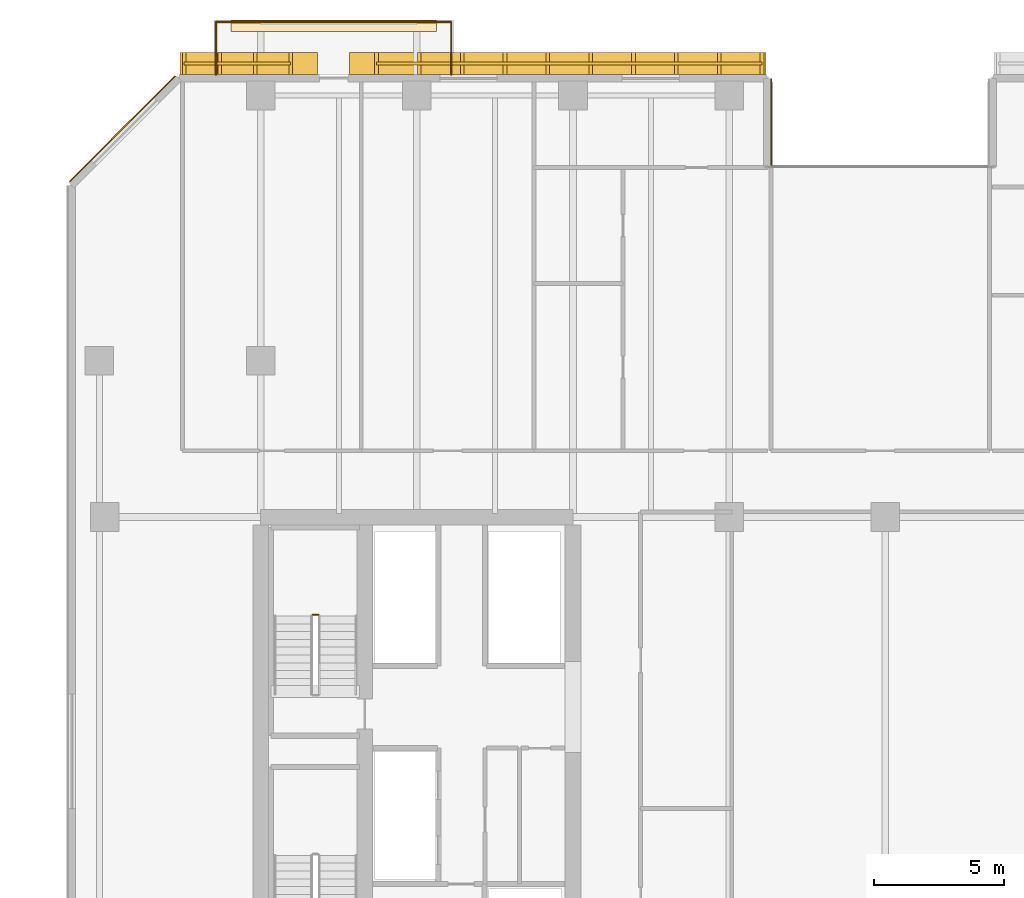
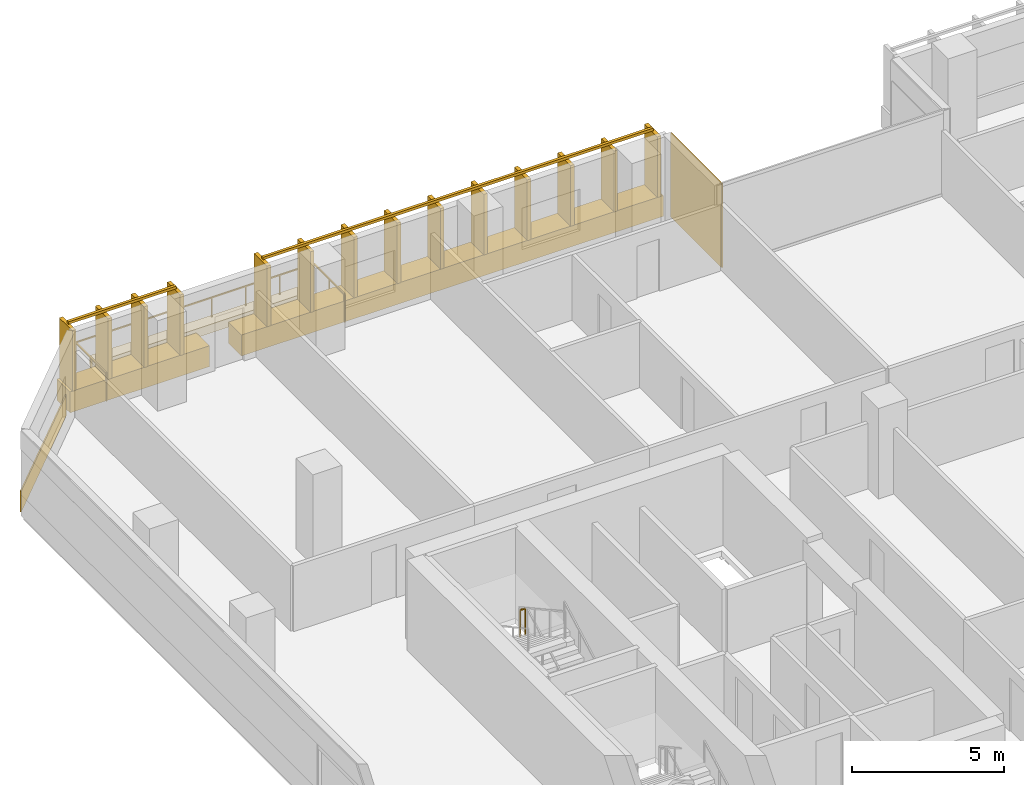
# One storey, part 22 of 26: 5 coverings, 4 railings.
"""IFC4 building model written with IfcOpenShell, lengths in metres."""

from ifc_helpers import new_model, si_unit, direction, frame, origin, origin_2d, place, context, subcontext, project, spatial, polyline, rectangle, outline, extrude, material, layer, layer_set, type_object, element, save


model = new_model("IFC4")

# Units and contexts
model_context = context("Model", 3, precision=1e-05, world=origin(), true_north=direction((0.0, 1.0)))
body_context = subcontext(model_context, "Body", "Model", "MODEL_VIEW")
ifc_project = project(units=[si_unit("LENGTHUNIT", "METRE"), si_unit("AREAUNIT", "SQUARE_METRE"), si_unit("VOLUMEUNIT", "CUBIC_METRE"), si_unit("PLANEANGLEUNIT", "RADIAN"), si_unit("MASSUNIT", "GRAM", prefix="KILO")], contexts=[model_context])

# Site, building, storey
site_placement = place(None, origin())
site = spatial("IfcSite", under=ifc_project, at=site_placement, CompositionType="ELEMENT")
building_placement = place(site_placement, origin())
building = spatial("IfcBuilding", under=site, at=building_placement, Name="Tanjung Sevakor Pilgrim Tower", CompositionType="ELEMENT")
storey_placement = place(building_placement, frame((0.0, 0.0, 66.0)))
storey = spatial("IfcBuildingStorey", under=building, at=storey_placement, Name="L18", CompositionType="ELEMENT", Elevation=66.0)

# Coverings
ifc_material_1 = material(Name="Reconstructed Limestone Cladding", Category="masonry")
ifc_layer_1 = layer(ifc_material_1, 0.044921875)
ifc_layer_set_1 = layer_set([ifc_layer_1], Name="COV-CLAD-LIMESTONE")
covering_type_1 = type_object("IfcCoveringType", Name="COV-CLAD-LIMESTONE", PredefinedType="CLADDING", material=ifc_layer_set_1)
covering_1_placement = place(storey_placement, frame((43.62255859375, 57.760009765625, 0.02001953125), z_axis=(0.0, 0.0, 1.0), x_axis=(0.0, 1.0, 0.0)))
element("IfcCovering", 1, at=covering_1_placement, inside=storey, type_object=covering_type_1, Name="L18 Warm Limestone Wall Cladding EW-L18-MAIN-12", PredefinedType="CLADDING", context=body_context, shape_type="SweptSolid", body=[
    extrude(rectangle(XDim=3.360107421875, YDim=0.044921875, at=origin_2d()), origin(), (0.0, 0.0, 1.0), 3.3701171875),
])
covering_2_placement = place(storey_placement, frame((35.4150390625, 60.030029296875, 0.009765625), z_axis=(0.0, 0.0, 1.0), x_axis=(-1.0, 0.0, 0.0)))
element("IfcCovering", 2, at=covering_2_placement, inside=storey, type_object=covering_type_1, Name="L18 Warm Limestone Sill Spandrel EW-L18-MAIN-13-1", PredefinedType="CLADDING", context=body_context, shape_type="SweptSolid", body=[
    extrude(rectangle(XDim=16.010009765625, YDim=0.860107421875, at=origin_2d()), origin(), (0.0, 0.0, 1.0), 0.840087890625),
])
covering_3_placement = place(storey_placement, frame((23.5439453125, 60.030029296875, 0.009765625), z_axis=(0.0, 0.0, 1.0), x_axis=(-1.0, 0.0, 0.0)))
element("IfcCovering", 3, at=covering_3_placement, inside=storey, type_object=covering_type_1, Name="L18 Warm Limestone Sill Spandrel EW-L18-MAIN-13-2", PredefinedType="CLADDING", context=body_context, shape_type="SweptSolid", body=[
    extrude(rectangle(XDim=5.2919921875, YDim=0.860107421875, at=origin_2d()), origin(), (0.0, 0.0, 1.0), 0.840087890625),
])
covering_4_placement = place(storey_placement, frame((18.68408203125, 57.515869140625, 0.009765625), z_axis=(0.0, 0.0, 1.0), x_axis=(-0.707106781187, -0.707106781187, 0.0)))
element("IfcCovering", 4, at=covering_4_placement, inside=storey, type_object=covering_type_1, Name="L18 Warm Limestone Sill Spandrel EW-CHM-L18-MAIN-13-1", PredefinedType="CLADDING", context=body_context, shape_type="SweptSolid", body=[
    extrude(rectangle(XDim=5.74365234375, YDim=0.044921875, at=origin_2d()), origin(), (0.0, 0.0, 1.0), 0.840087890625),
])
ifc_material_2 = material(Name="Vegetated Modular Planter Assembly", Category="organic")
ifc_layer_2 = layer(ifc_material_2, 0.35009765625)
ifc_layer_set_2 = layer_set([ifc_layer_2], Name="COV-GRN-TROUGH")
covering_type_2 = type_object("IfcCoveringType", Name="COV-GRN-TROUGH", PredefinedType="CLADDING", material=ifc_layer_set_2)
covering_5_placement = place(storey_placement, origin())
element("IfcCovering", 5, at=covering_5_placement, inside=storey, type_object=covering_type_2, Name="L18 Planted Landscape Hedge Trough BGRN-L18-MAIN-N1", PredefinedType="CLADDING", context=body_context, shape_type="SweptSolid", body=[
    extrude(outline(polyline([(22.85009765625, 61.260009765625), (30.75, 61.260009765625), (30.75, 61.699951171875), (22.85009765625, 61.699951171875), (22.85009765625, 61.260009765625)])), origin(), (0.0, 0.0, 1.0), 0.35009765625),
])

# Railings
ifc_material_3 = material(Name="Laminated Glass and Aluminium", Category="aluminium")
railing_type_1 = type_object("IfcRailingType", Name="RL-BAL-BALUST", PredefinedType="BALUSTRADE", material=ifc_material_3)
railing_1_placement = place(storey_placement, frame((22.280029296875, 59.60009765625, 0.0)))
element("IfcRailing", 6, at=railing_1_placement, inside=storey, type_object=railing_type_1, Name="L18 Loggia Balustrade MAIN-N1", PredefinedType="BALUSTRADE", context=body_context, shape_type="SweptSolid", body=[
    extrude(rectangle(XDim=0.0479, YDim=0.0479), frame((0.0, 0.0, 1.1259765625), z_axis=(0.0, 1.0, 0.0), x_axis=(-1.0, 0.0, 0.0)), (0.0, 0.0, 1.0), 2.02001953125),
    extrude(rectangle(XDim=0.0479, YDim=0.0479), frame((0.0, 2.02001953125, 1.1259765625), z_axis=(1.0, 0.0, 0.0), x_axis=(0.0, 1.0, 0.0)), (0.0, 0.0, 1.0), 9.0400390625),
    extrude(rectangle(XDim=0.0479, YDim=0.0479), frame((9.0400390625, 2.02001953125, 1.1259765625), z_axis=(0.0, -1.0, 0.0), x_axis=(1.0, 0.0, 0.0)), (0.0, 0.0, 1.0), 2.02001953125),
    extrude(rectangle(XDim=0.042, YDim=0.042), origin(), (0.0, 0.0, 1.0), 1.101806640625),
    extrude(rectangle(XDim=0.042, YDim=0.042), frame((0.0, 1.010009765625, 0.0)), (0.0, 0.0, 1.0), 1.101806640625),
    extrude(rectangle(XDim=0.042, YDim=0.042), frame((0.0, 2.02001953125, 0.0)), (0.0, 0.0, 1.0), 1.101806640625),
    extrude(rectangle(XDim=0.042, YDim=0.042), frame((1.29150390625, 2.02001953125, 0.0)), (0.0, 0.0, 1.0), 1.101806640625),
    extrude(rectangle(XDim=0.042, YDim=0.042), frame((2.582763671875, 2.02001953125, 0.0)), (0.0, 0.0, 1.0), 1.101806640625),
    extrude(rectangle(XDim=0.042, YDim=0.042), frame((3.874267578125, 2.02001953125, 0.0)), (0.0, 0.0, 1.0), 1.101806640625),
    extrude(rectangle(XDim=0.042, YDim=0.042), frame((5.165771484375, 2.02001953125, 0.0)), (0.0, 0.0, 1.0), 1.101806640625),
    extrude(rectangle(XDim=0.042, YDim=0.042), frame((6.457275390625, 2.02001953125, 0.0)), (0.0, 0.0, 1.0), 1.101806640625),
    extrude(rectangle(XDim=0.042, YDim=0.042), frame((7.74853515625, 2.02001953125, 0.0)), (0.0, 0.0, 1.0), 1.101806640625),
    extrude(rectangle(XDim=0.042, YDim=0.042), frame((9.0400390625, 2.02001953125, 0.0)), (0.0, 0.0, 1.0), 1.101806640625),
    extrude(rectangle(XDim=0.042, YDim=0.042), frame((9.0400390625, 1.010009765625, 0.0)), (0.0, 0.0, 1.0), 1.101806640625),
    extrude(rectangle(XDim=0.042, YDim=0.042), frame((9.0400390625, 0.0, 0.0)), (0.0, 0.0, 1.0), 1.101806640625),
])
ifc_material_4 = material(Name="Anodised Bronze Aluminium 6063-T6", Category="aluminium")
railing_type_2 = type_object("IfcRailingType", Name="RL-FIN-SCREEN", PredefinedType="BALUSTRADE", material=ifc_material_4)
railing_2_placement = place(storey_placement, frame((43.260009765625, 60.02490234375, 0.840087890625)))
element("IfcRailing", 7, at=railing_2_placement, inside=storey, type_object=railing_type_2, Name="L18 Vertical Bronze-Gold Solar Fin Screen FNSCR-EW-L18-MAIN-13-1", PredefinedType="BALUSTRADE", context=body_context, shape_type="SweptSolid", body=[
    extrude(rectangle(XDim=0.105, YDim=0.105), frame((0.0, 0.0, 2.487548828125), z_axis=(-1.0, 0.0, 0.0), x_axis=(0.0, -1.0, 0.0)), (0.0, 0.0, 1.0), 14.81005859375),
    extrude(rectangle(XDim=0.14, YDim=0.85), origin(), (0.0, 0.0, 1.0), 2.43505859375),
    extrude(rectangle(XDim=0.14, YDim=0.85), frame((-1.6455078125, 0.0, 0.0)), (0.0, 0.0, 1.0), 2.43505859375),
    extrude(rectangle(XDim=0.14, YDim=0.85), frame((-3.291015625, 0.0, 0.0)), (0.0, 0.0, 1.0), 2.43505859375),
    extrude(rectangle(XDim=0.14, YDim=0.85), frame((-4.936767578125, 0.0, 0.0)), (0.0, 0.0, 1.0), 2.43505859375),
    extrude(rectangle(XDim=0.14, YDim=0.85), frame((-6.582275390625, 0.0, 0.0)), (0.0, 0.0, 1.0), 2.43505859375),
    extrude(rectangle(XDim=0.14, YDim=0.85), frame((-8.227783203125, 0.0, 0.0)), (0.0, 0.0, 1.0), 2.43505859375),
    extrude(rectangle(XDim=0.14, YDim=0.85), frame((-9.873291015625, 0.0, 0.0)), (0.0, 0.0, 1.0), 2.43505859375),
    extrude(rectangle(XDim=0.14, YDim=0.85), frame((-11.51904296875, 0.0, 0.0)), (0.0, 0.0, 1.0), 2.43505859375),
    extrude(rectangle(XDim=0.14, YDim=0.85), frame((-13.16455078125, 0.0, 0.0)), (0.0, 0.0, 1.0), 2.43505859375),
    extrude(rectangle(XDim=0.14, YDim=0.85), frame((-14.81005859375, 0.0, 0.0)), (0.0, 0.0, 1.0), 2.43505859375),
])
railing_3_placement = place(storey_placement, frame((25.14990234375, 60.02490234375, 0.840087890625)))
element("IfcRailing", 8, at=railing_3_placement, inside=storey, type_object=railing_type_2, Name="L18 Vertical Bronze-Gold Solar Fin Screen FNSCR-EW-L18-MAIN-13-2", PredefinedType="BALUSTRADE", context=body_context, shape_type="SweptSolid", body=[
    extrude(rectangle(XDim=0.105, YDim=0.105), frame((0.0, 0.0, 2.487548828125), z_axis=(-1.0, 0.0, 0.0), x_axis=(0.0, -1.0, 0.0)), (0.0, 0.0, 1.0), 4.091796875),
    extrude(rectangle(XDim=0.14, YDim=0.85), origin(), (0.0, 0.0, 1.0), 2.43505859375),
    extrude(rectangle(XDim=0.14, YDim=0.85), frame((-1.364013671875, 0.0, 0.0)), (0.0, 0.0, 1.0), 2.43505859375),
    extrude(rectangle(XDim=0.14, YDim=0.85), frame((-2.727783203125, 0.0, 0.0)), (0.0, 0.0, 1.0), 2.43505859375),
    extrude(rectangle(XDim=0.14, YDim=0.85), frame((-4.091796875, 0.0, 0.0)), (0.0, 0.0, 1.0), 2.43505859375),
])
ifc_material_5 = material(Name="Steel S355J2", Category="steel")
railing_type_3 = type_object("IfcRailingType", Name="RL-STAIR-GUARD", PredefinedType="GUARDRAIL", material=ifc_material_5)
railing_4_placement = place(storey_placement, frame((26.199951171875, 38.85009765625, 1.81494140625)))
element("IfcRailing", 9, at=railing_4_placement, inside=storey, type_object=railing_type_3, Name="L18 TS-W2 stair guard 2", PredefinedType="GUARDRAIL", context=body_context, shape_type="SweptSolid", body=[
    extrude(rectangle(XDim=0.0479, YDim=0.0479), frame((0.0, 0.0, 1.076171875), z_axis=(-1.0, 0.0, 0.0), x_axis=(0.0, -1.0, 0.0)), (0.0, 0.0, 1.0), 0.199951171875),
    extrude(rectangle(XDim=0.042, YDim=0.042), origin(), (0.0, 0.0, 1.0), 1.052001953125),
    extrude(rectangle(XDim=0.042, YDim=0.042), frame((-0.199951171875, 0.0, 0.0)), (0.0, 0.0, 1.0), 1.052001953125),
])

save(model, "model.ifc")
